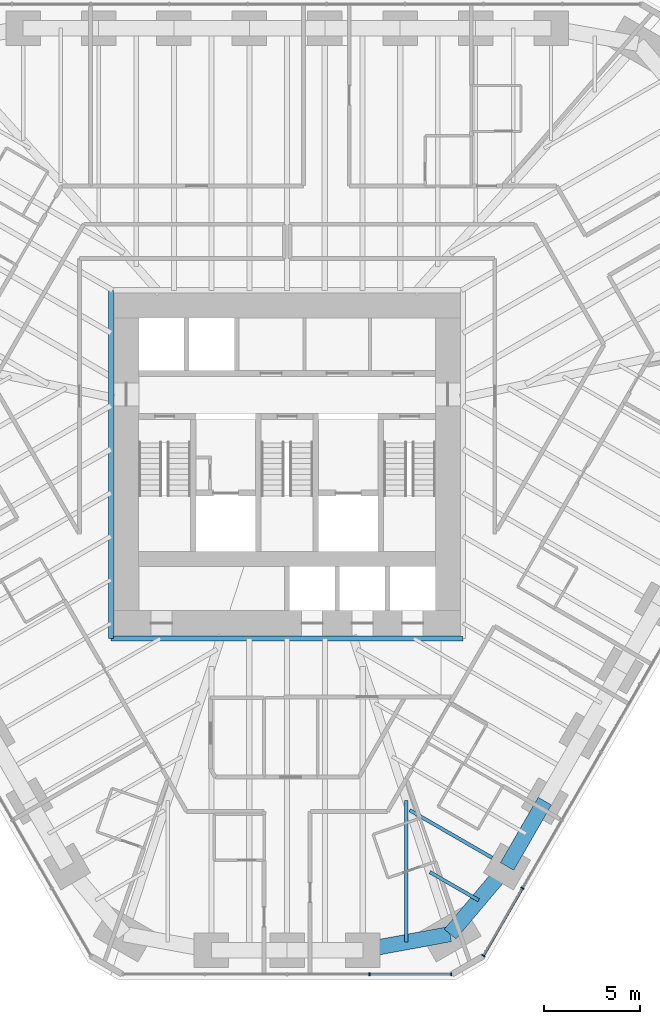
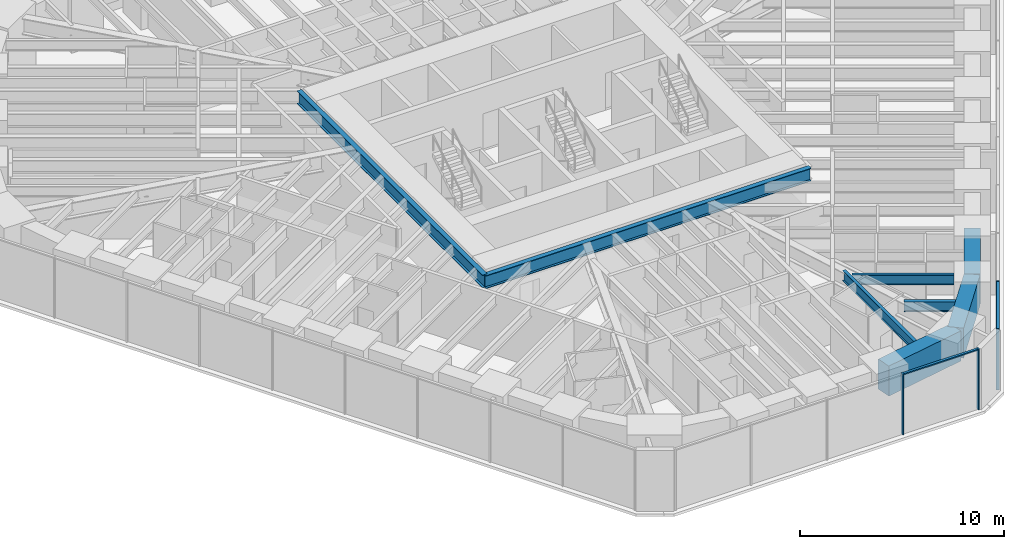
# One storey, part 4 of 16: 8 beams, 6 members, 2 elements without a shape of their own.
"""IFC4 building model written with IfcOpenShell, lengths in metres."""

from ifc_helpers import new_model, si_unit, direction, frame, origin, origin_2d, place, context, subcontext, project, spatial, rectangle, i_section, extrude, material, material_profile, profile_set, type_object, element, aggregate, save


model = new_model("IFC4")

# Units and contexts
model_context = context("Model", 3, precision=1e-05, world=origin(), true_north=direction((0.0, 1.0)))
body_context = subcontext(model_context, "Body", "Model", "MODEL_VIEW")
ifc_project = project(units=[si_unit("LENGTHUNIT", "METRE"), si_unit("AREAUNIT", "SQUARE_METRE"), si_unit("VOLUMEUNIT", "CUBIC_METRE"), si_unit("PLANEANGLEUNIT", "RADIAN"), si_unit("MASSUNIT", "GRAM", prefix="KILO")], contexts=[model_context])

# Site, building, storey
site_placement = place(None, origin())
site = spatial("IfcSite", under=ifc_project, at=site_placement, CompositionType="ELEMENT")
building_placement = place(site_placement, origin())
building = spatial("IfcBuilding", under=site, at=building_placement, Name="Sandreach Pilgrim Tower", CompositionType="ELEMENT")
storey_placement = place(building_placement, frame((0.0, 0.0, 134.800048828125)))
storey = spatial("IfcBuildingStorey", under=building, at=storey_placement, Name="L33", CompositionType="ELEMENT", Elevation=134.800048828125)

# Curtain wall, members
ifc_material_1 = material(Name="Aluminium framed curtain wall", Category="aluminium")
curtain_wall_type = type_object("IfcCurtainWallType", Name="Hotel tower curtain wall", PredefinedType="NOTDEFINED", material=ifc_material_1)
curtain_wall_1_placement = place(storey_placement, origin())
curtain_wall_1 = element("IfcCurtainWall", 1, at=curtain_wall_1_placement, inside=storey, type_object=curtain_wall_type, Name="CW-2 L33 SE", PredefinedType="NOTDEFINED")
ifc_material_2 = material(Name="Aluminium extrusion", Category="aluminium")
ifc_material_profile_1 = material_profile(ifc_material_2, rectangle(XDim=0.06494140625, YDim=0.179931640625, at=origin_2d()), Name="CW-2M 65X180")
ifc_profile_set_1 = profile_set([ifc_material_profile_1], Name="Aluminium extrusion")
member_type_1 = type_object("IfcMemberType", Name="CW-2 mullion", PredefinedType="MULLION", material=ifc_profile_set_1)
member_1_placement = place(storey_placement, frame((12.29296875, -23.695556640625, 0.0), z_axis=(0.0, 0.0, 1.0), x_axis=(-0.5, -0.866025403784, 0.0)))
member_1 = element("IfcMember", 2, at=member_1_placement, type_object=member_type_1, Name="CW-2 mullion 9", PredefinedType="MULLION", context=body_context, shape_type="SweptSolid", body=[
    extrude(rectangle(XDim=0.06494140625, YDim=0.179931640625, at=origin_2d()), origin(), (0.0, 0.0, 1.0), 3.639892578125),
])
member_2_placement = place(storey_placement, frame((10.255859375, -27.22412109375, 0.0), z_axis=(0.0, 0.0, 1.0), x_axis=(-0.5, -0.866025403784, 0.0)))
member_2 = element("IfcMember", 3, at=member_2_placement, type_object=member_type_1, Name="CW-2 mullion 10", PredefinedType="MULLION", context=body_context, shape_type="SweptSolid", body=[
    extrude(rectangle(XDim=0.06494140625, YDim=0.179931640625, at=origin_2d()), origin(), (0.0, 0.0, 1.0), 3.639892578125),
])

curtain_wall_2_placement = place(storey_placement, origin())
curtain_wall_2 = element("IfcCurtainWall", 4, at=curtain_wall_2_placement, inside=storey, type_object=curtain_wall_type, Name="CW-2 L33 S", PredefinedType="NOTDEFINED")
member_3_placement = place(storey_placement, frame((8.578857421875, -28.192138671875, 0.0), z_axis=(0.0, 0.0, 1.0), x_axis=(-1.0, 0.0, 0.0)))
member_3 = element("IfcMember", 5, at=member_3_placement, type_object=member_type_1, Name="CW-2 mullion 1", PredefinedType="MULLION", context=body_context, shape_type="SweptSolid", body=[
    extrude(rectangle(XDim=0.06494140625, YDim=0.179931640625, at=origin_2d()), origin(), (0.0, 0.0, 1.0), 3.639892578125),
])
member_4_placement = place(storey_placement, frame((4.3056640625, -28.192138671875, 0.0), z_axis=(0.0, 0.0, 1.0), x_axis=(-1.0, 0.0, 0.0)))
member_4 = element("IfcMember", 6, at=member_4_placement, type_object=member_type_1, Name="CW-2 mullion 2", PredefinedType="MULLION", context=body_context, shape_type="SweptSolid", body=[
    extrude(rectangle(XDim=0.06494140625, YDim=0.179931640625, at=origin_2d()), origin(), (0.0, 0.0, 1.0), 3.639892578125),
])

# Member
ifc_material_3 = material(Name="Aluminium extrusion", Category="aluminium")
ifc_material_profile_2 = material_profile(ifc_material_3, rectangle(XDim=0.139892578125, YDim=0.070068359375, at=origin_2d()), Name="CW-2T 140X70")
ifc_profile_set_2 = profile_set([ifc_material_profile_2], Name="Aluminium extrusion")
member_type_2 = type_object("IfcMemberType", Name="CW-2 transom", PredefinedType="USERDEFINED", material=ifc_profile_set_2)
member_5_placement = place(storey_placement, frame((12.27685546875, -23.7236328125, 3.60498046875), z_axis=(-0.500015851672, -0.866016251624, 0.0), x_axis=(0.866016251624, -0.500015851672, 0.0)))
member_5 = element("IfcMember", 7, at=member_5_placement, type_object=member_type_2, Name="CW-2 head transom 9", ObjectType="TRANSOM", PredefinedType="USERDEFINED", context=body_context, shape_type="SweptSolid", body=[
    extrude(rectangle(XDim=0.139892578125, YDim=0.070068359375, at=origin_2d()), origin(), (0.0, 0.0, 1.0), 4.009521484375),
])

aggregate(curtain_wall_1, [member_1, member_2, member_5])

member_6_placement = place(storey_placement, frame((8.54638671875, -28.192138671875, 3.60498046875), z_axis=(-1.0, 0.0, 0.0), x_axis=(0.0, -1.0, 0.0)))
member_6 = element("IfcMember", 8, at=member_6_placement, type_object=member_type_2, Name="CW-2 head transom 1", ObjectType="TRANSOM", PredefinedType="USERDEFINED", context=body_context, shape_type="SweptSolid", body=[
    extrude(rectangle(XDim=0.139892578125, YDim=0.070068359375, at=origin_2d()), origin(), (0.0, 0.0, 1.0), 4.208251953125),
])

aggregate(curtain_wall_2, [member_3, member_4, member_6])

# Beams
ifc_material_4 = material(Name="Steel ASTM A992 Grade 50", Category="steel")
ifc_material_profile_3 = material_profile(ifc_material_4, i_section(OverallWidth=0.2666015625, OverallDepth=0.77978515625, WebThickness=0.0166015625, FlangeThickness=0.030029296875, at=origin_2d()), Name="W30X148")
ifc_profile_set_3 = profile_set([ifc_material_profile_3], Name="Steel ASTM A992 Grade 50")
beam_type_1 = type_object("IfcBeamType", Name="Core edge beam W30X148", PredefinedType="BEAM", material=ifc_profile_set_3)
beam_1_placement = place(storey_placement, frame((9.193359375, -10.643310546875, 3.25), z_axis=(-1.0, 0.0, 0.0), x_axis=(0.0, -1.0, 0.0)))
element("IfcBeam", 9, at=beam_1_placement, inside=storey, type_object=beam_type_1, Name="BM L33 CES", PredefinedType="BEAM", context=body_context, shape_type="SweptSolid", body=[
    extrude(i_section(OverallWidth=0.2666015625, OverallDepth=0.77978515625, WebThickness=0.0166015625, FlangeThickness=0.030029296875, at=origin_2d()), origin(), (0.0, 0.0, 1.0), 18.38671875),
])
beam_2_placement = place(storey_placement, frame((-9.193359375, -10.643310546875, 3.25), z_axis=(0.0, 1.0, 0.0), x_axis=(-1.0, 0.0, 0.0)))
element("IfcBeam", 10, at=beam_2_placement, inside=storey, type_object=beam_type_1, Name="BM L33 CEW", PredefinedType="BEAM", context=body_context, shape_type="SweptSolid", body=[
    extrude(i_section(OverallWidth=0.2666015625, OverallDepth=0.77978515625, WebThickness=0.0166015625, FlangeThickness=0.030029296875, at=origin_2d()), origin(), (0.0, 0.0, 1.0), 18.186767578125),
])
ifc_material_5 = material(Name="Steel ASTM A992 Grade 50", Category="steel")
ifc_material_profile_4 = material_profile(ifc_material_5, i_section(OverallWidth=0.1787109375, OverallDepth=0.60205078125, WebThickness=0.010986328125, FlangeThickness=0.014892578125, at=origin_2d()), Name="W24X62")
ifc_profile_set_4 = profile_set([ifc_material_profile_4], Name="Steel ASTM A992 Grade 50")
beam_type_2 = type_object("IfcBeamType", Name="Floor beam W24X62", PredefinedType="BEAM", material=ifc_profile_set_4)
beam_3_placement = place(storey_placement, frame((10.714599609375, -22.109130859375, 3.3388671875), z_axis=(-0.866024645457, 0.500001313459, 0.0), x_axis=(-0.500001313459, -0.866024645457, 0.0)))
element("IfcBeam", 11, at=beam_3_placement, inside=storey, type_object=beam_type_2, Name="BM L33 F21", PredefinedType="BEAM", context=body_context, shape_type="SweptSolid", body=[
    extrude(i_section(OverallWidth=0.1787109375, OverallDepth=0.60205078125, WebThickness=0.010986328125, FlangeThickness=0.014892578125, at=origin_2d()), origin(), (0.0, 0.0, 1.0), 4.9765625),
])
beam_4_placement = place(storey_placement, frame((10.006103515625, -24.326904296875, 3.3388671875), z_axis=(-0.866015396618, 0.500017332519, 0.0), x_axis=(-0.500017332519, -0.866015396618, 0.0)))
element("IfcBeam", 12, at=beam_4_placement, inside=storey, type_object=beam_type_2, Name="BM L33 FM21", PredefinedType="BEAM", context=body_context, shape_type="SweptSolid", body=[
    extrude(i_section(OverallWidth=0.1787109375, OverallDepth=0.60205078125, WebThickness=0.010986328125, FlangeThickness=0.014892578125, at=origin_2d()), origin(), (0.0, 0.0, 1.0), 2.9384765625),
])
beam_5_placement = place(storey_placement, frame((6.236572265625, -26.51318359375, 3.3388671875), z_axis=(0.0, 1.0, 0.0), x_axis=(-1.0, 0.0, 0.0)))
element("IfcBeam", 13, at=beam_5_placement, inside=storey, type_object=beam_type_2, Name="BM L33 FM22", PredefinedType="BEAM", context=body_context, shape_type="SweptSolid", body=[
    extrude(i_section(OverallWidth=0.1787109375, OverallDepth=0.60205078125, WebThickness=0.010986328125, FlangeThickness=0.014892578125, at=origin_2d()), origin(), (0.0, 0.0, 1.0), 7.40771484375),
])
ifc_material_6 = material(Name="Concrete 10000 psi", Category="concrete")
ifc_material_profile_5 = material_profile(ifc_material_6, rectangle(XDim=0.800048828125, YDim=1.800048828125, at=origin_2d()), Name="RC800X1800")
ifc_profile_set_5 = profile_set([ifc_material_profile_5], Name="Concrete 10000 psi")
beam_type_3 = type_object("IfcBeamType", Name="Spandrel beam RC800X1800", PredefinedType="SPANDREL", material=ifc_profile_set_5)
beam_6_placement = place(storey_placement, frame((13.464111328125, -19.147216796875, 2.739990234375), z_axis=(-0.49999779889, -0.866026674592, 0.0), x_axis=(0.866026674592, -0.49999779889, 0.0)))
element("IfcBeam", 14, at=beam_6_placement, inside=storey, type_object=beam_type_3, Name="BM L33 SP20", PredefinedType="SPANDREL", context=body_context, shape_type="SweptSolid", body=[
    extrude(rectangle(XDim=0.800048828125, YDim=1.800048828125, at=origin_2d()), origin(), (0.0, 0.0, 1.0), 3.93994140625),
])
beam_7_placement = place(storey_placement, frame((11.494140625, -22.559326171875, 2.739990234375), z_axis=(-0.644078801547, -0.764959147535, 0.0), x_axis=(0.764959147535, -0.644078801547, 0.0)))
element("IfcBeam", 15, at=beam_7_placement, inside=storey, type_object=beam_type_3, Name="BM L33 SP21", PredefinedType="SPANDREL", context=body_context, shape_type="SweptSolid", body=[
    extrude(rectangle(XDim=0.800048828125, YDim=1.800048828125, at=origin_2d()), origin(), (0.0, 0.0, 1.0), 4.62109375),
])
beam_8_placement = place(storey_placement, frame((8.517822265625, -26.09423828125, 2.739990234375), z_axis=(-0.983551746136, -0.180626583516, 0.0), x_axis=(0.180626583516, -0.983551746136, 0.0)))
element("IfcBeam", 16, at=beam_8_placement, inside=storey, type_object=beam_type_3, Name="BM L33 SP22", PredefinedType="SPANDREL", context=body_context, shape_type="SweptSolid", body=[
    extrude(rectangle(XDim=0.800048828125, YDim=1.800048828125, at=origin_2d()), origin(), (0.0, 0.0, 1.0), 4.638916015625),
])

save(model, "model.ifc")
